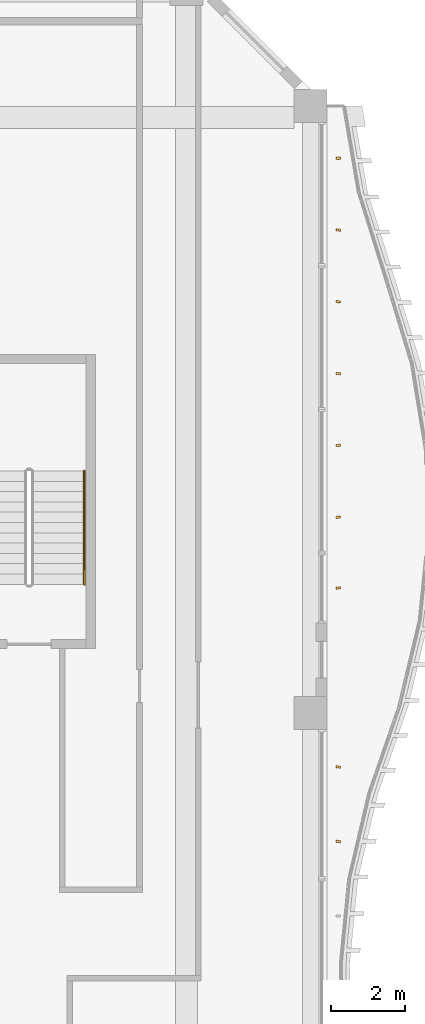
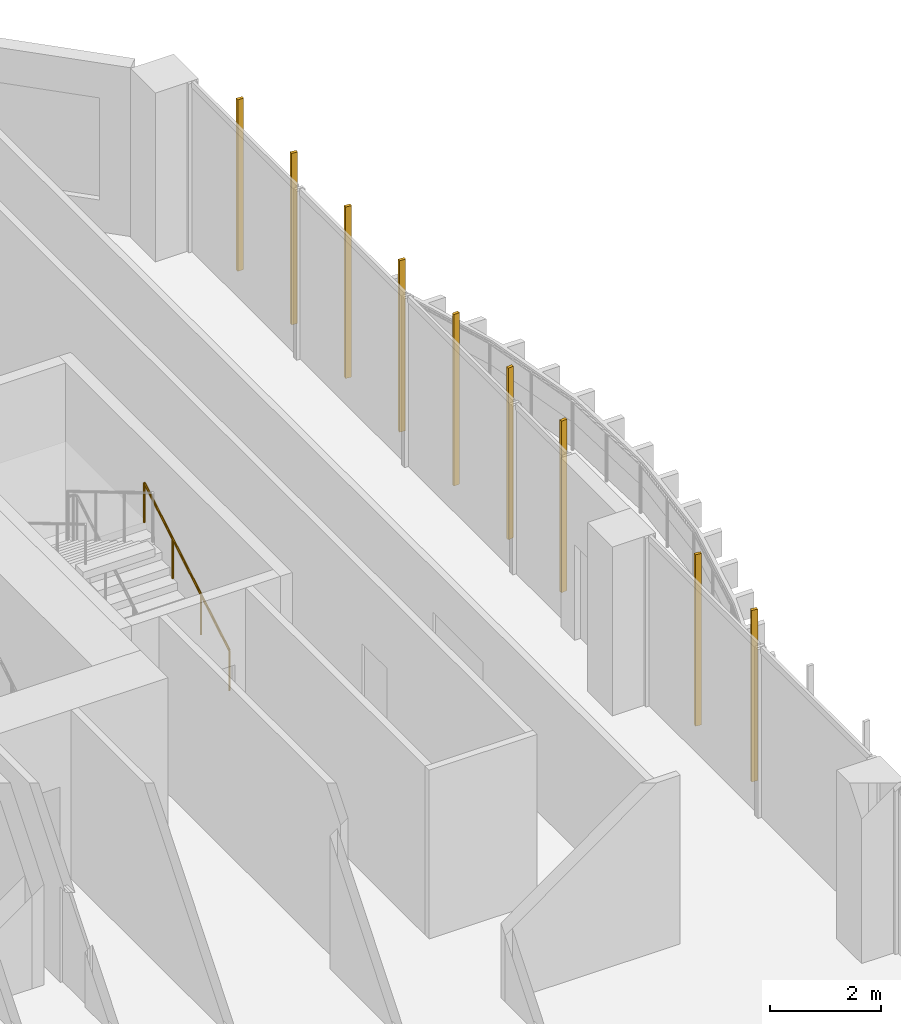
# One storey, part 25 of 25: 9 shading devices, 1 railing.
"""IFC4 building model written with IfcOpenShell, lengths in metres."""

from ifc_helpers import new_model, si_unit, direction, frame, origin, origin_2d, place, context, subcontext, project, spatial, rectangle, circle, extrude, source, transform, mapped, material, material_profile, profile_set, type_object, element, save


model = new_model("IFC4")

# Units and contexts
model_context = context("Model", 3, precision=1e-05, world=origin(), true_north=direction((0.0, 1.0)))
body_context = subcontext(model_context, "Body", "Model", "MODEL_VIEW")
ifc_project = project(units=[si_unit("LENGTHUNIT", "METRE"), si_unit("AREAUNIT", "SQUARE_METRE"), si_unit("VOLUMEUNIT", "CUBIC_METRE"), si_unit("PLANEANGLEUNIT", "RADIAN"), si_unit("MASSUNIT", "GRAM", prefix="KILO")], contexts=[model_context])

# Site, building, storey
site_placement = place(None, origin())
site = spatial("IfcSite", under=ifc_project, at=site_placement, CompositionType="ELEMENT")
building_placement = place(site_placement, origin())
building = spatial("IfcBuilding", under=site, at=building_placement, Name="Kilnfold Tower and Market Hall", CompositionType="ELEMENT")
storey_placement = place(building_placement, frame((0.0, 0.0, 39.0)))
storey = spatial("IfcBuildingStorey", under=building, at=storey_placement, Name="L08", CompositionType="ELEMENT", Elevation=39.0)

# Railing
ifc_material_1 = material(Name="Stainless steel 316", Category="steel")
railing_type = type_object("IfcRailingType", Name="CORE STAIR HANDRAIL 900", PredefinedType="HANDRAIL", material=ifc_material_1)
railing_placement = place(storey_placement, frame((21.39990234375, 11.5, 0.166748046875)))
element("IfcRailing", 1, at=railing_placement, inside=storey, type_object=railing_type, Name="L08 ST5 stair handrail 1", PredefinedType="HANDRAIL", context=body_context, shape_type="SweptSolid", body=[
    extrude(circle(Radius=0.02392578125, at=origin_2d()), frame((0.0, 0.0, 0.8759765625), z_axis=(0.0, 0.859308565015, 0.511457515432), x_axis=(-1.0, 0.0, 0.0)), (0.0, 0.0, 1.0), 3.58447265625),
    extrude(circle(Radius=0.02099609375, at=origin_2d()), origin(), (0.0, 0.0, 1.0), 0.851806640625),
    extrude(circle(Radius=0.02099609375, at=origin_2d()), frame((0.0, 1.026611328125, 0.611083984375)), (0.0, 0.0, 1.0), 0.851806640625),
    extrude(circle(Radius=0.02099609375, at=origin_2d()), frame((0.0, 2.053466796875, 1.22216796875)), (0.0, 0.0, 1.0), 0.851806640625),
    extrude(circle(Radius=0.02099609375, at=origin_2d()), frame((0.0, 3.080078125, 1.833251953125)), (0.0, 0.0, 1.0), 0.851806640625),
])

# Shading devices
ifc_material_2 = material(Name="Terracotta", Category="masonry")
ifc_material_profile = material_profile(ifc_material_2, rectangle(XDim=0.06005859375, YDim=0.1201171875, at=origin_2d()), Name="BAG 60x120")
ifc_profile_set = profile_set([ifc_material_profile], Name="Terracotta")
shading_device_type = type_object("IfcShadingDeviceType", Name="BAGUETTE", PredefinedType="USERDEFINED", material=ifc_profile_set)
shared_shape = source(origin(), body_context, "Body", "SweptSolid", [
    extrude(rectangle(XDim=0.06005859375, YDim=0.1201171875, at=origin_2d()), origin(), (0.0, 0.0, 1.0), 3.780029296875),
])
for number, where, z_axis, x_axis, name in (
    (2, (28.300048828125, 4.512451171875, 0.0), (0.0, 0.0, 1.0), (0.115653164503, 0.993289658428, 0.0), "Terracotta baguette L08 E"),
    (3, (28.300048828125, 6.53759765625, 0.0), (0.0, 0.0, 1.0), (0.132263310244, 0.991214616904, 0.0), "Terracotta baguette L08 E"),
    (4, (28.300048828125, 11.39990234375, 0.0), (0.0, 0.0, 1.0), (-0.11160248402, 0.993752929837, 0.0), "Terracotta baguette L08 E"),
    (5, (28.300048828125, 13.324951171875, 0.0), (0.0, 0.0, 1.0), (-0.135777822689, 0.990739311255, 0.0), "Terracotta baguette L08 E"),
    (6, (28.300048828125, 15.27490234375, 0.0), (0.0, 0.0, 1.0), (-0.063638794859, 0.997972997525, 0.0), "Terracotta baguette L08 E"),
    (7, (28.300048828125, 17.22509765625, 0.0), (0.0, 0.0, 1.0), (0.054547613552, 0.998511170621, 0.0), "Terracotta baguette L08 E"),
    (8, (28.300048828125, 19.175048828125, 0.0), (0.0, 0.0, 1.0), (0.133235504138, 0.991084406313, 0.0), "Terracotta baguette L08 E"),
    (9, (28.300048828125, 21.125, 0.0), (0.0, 0.0, 1.0), (0.116445390826, 0.993197095724, 0.0), "Terracotta baguette L08 E"),
    (10, (28.300048828125, 23.074951171875, 0.0), (0.0, 0.0, 1.0), (0.015960358327, 0.999872625369, 0.0), "Terracotta baguette L08 E"),
):
    element("IfcShadingDevice", number, at=place(storey_placement, frame(where, z_axis=z_axis, x_axis=x_axis)), inside=storey, type_object=shading_device_type, Name=name, ObjectType="BAGUETTE", PredefinedType="USERDEFINED", context=body_context, shape_type="MappedRepresentation", body=[
        mapped(shared_shape, transform((0.0, 0.0, 0.0))),
    ])

save(model, "model.ifc")
